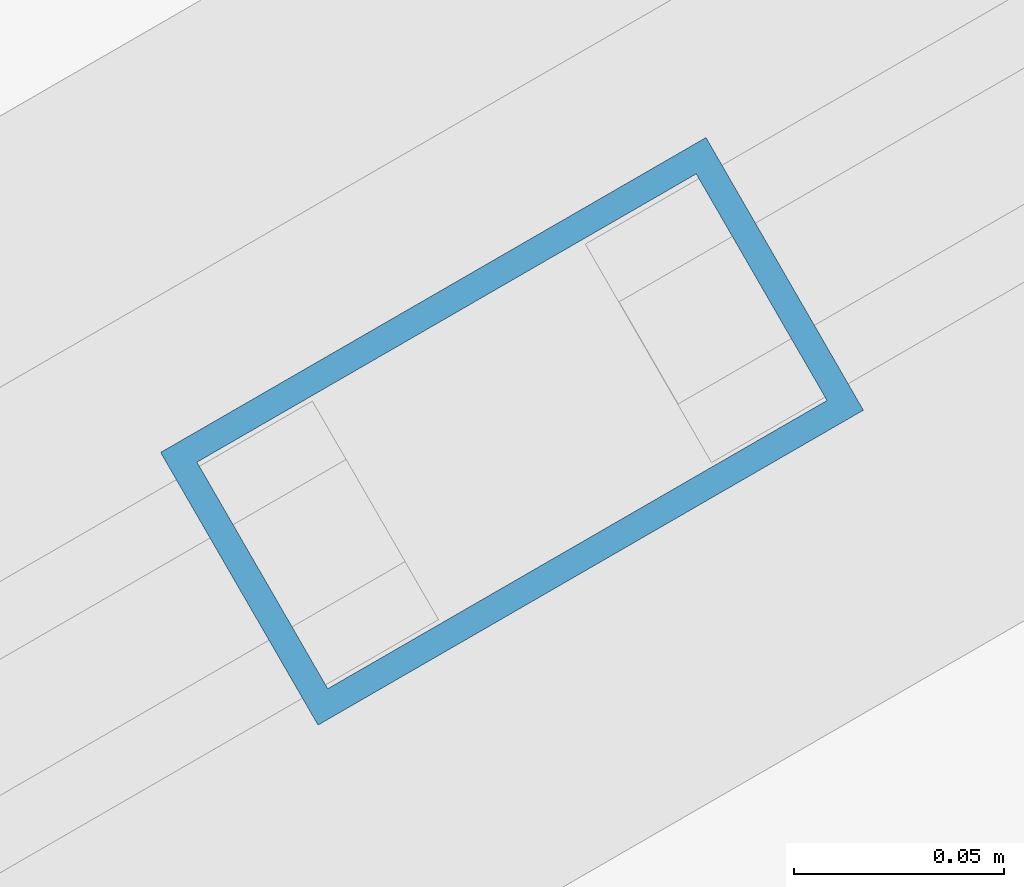
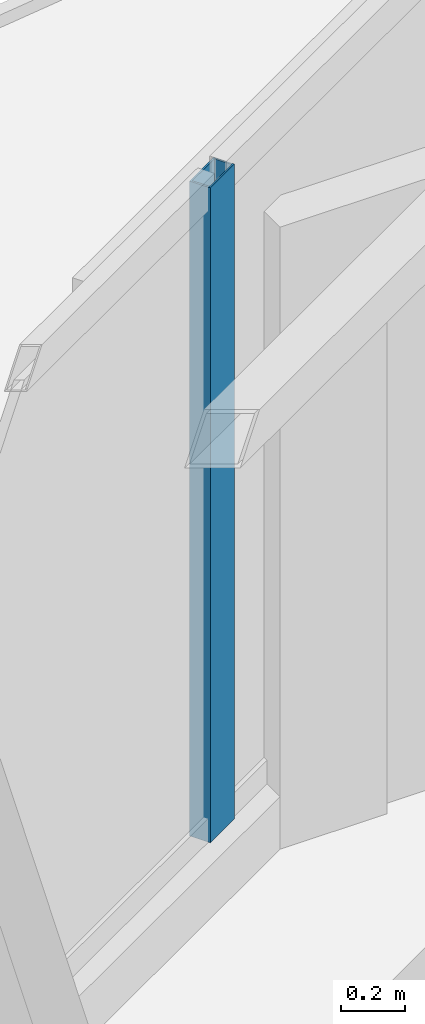
# One storey, part 10 of 21: 1 member, 1 element without a shape of its own.
"""IFC4 building model written with IfcOpenShell, lengths in metres."""

from ifc_helpers import new_model, si_unit, direction, frame, origin, origin_2d, place, context, subcontext, project, spatial, hollow_rectangle, extrude, material, layer, layer_set, material_profile, profile_set, type_object, element, aggregate, save


model = new_model("IFC4")

# Units and contexts
model_context = context("Model", 3, precision=1e-05, world=origin(), true_north=direction((0.0, 1.0)))
body_context = subcontext(model_context, "Body", "Model", "MODEL_VIEW")
ifc_project = project(units=[si_unit("LENGTHUNIT", "METRE"), si_unit("AREAUNIT", "SQUARE_METRE"), si_unit("VOLUMEUNIT", "CUBIC_METRE"), si_unit("PLANEANGLEUNIT", "RADIAN"), si_unit("MASSUNIT", "GRAM", prefix="KILO")], contexts=[model_context])

# Site, building, storey
site_placement = place(None, origin())
site = spatial("IfcSite", under=ifc_project, at=site_placement, CompositionType="ELEMENT")
building_placement = place(site_placement, origin())
building = spatial("IfcBuilding", under=site, at=building_placement, Name="Mersakhor Tower and Convention Hall", CompositionType="ELEMENT")
storey_placement = place(building_placement, frame((0.0, 0.0, 178.800048828125)))
storey = spatial("IfcBuildingStorey", under=building, at=storey_placement, Name="L49", CompositionType="ELEMENT", Elevation=178.800048828125)

# Curtain wall, member
ifc_material_1 = material(Name="Dark solar low-E aluminium curtain wall", Category="aluminium")
ifc_layer = layer(ifc_material_1, 0.169921875)
ifc_layer_set = layer_set([ifc_layer], Name="Dark solar low-E aluminium curtain wall")
curtain_wall_type = type_object("IfcCurtainWallType", Name="CW-SYS-02", PredefinedType="USERDEFINED", material=ifc_layer_set)
curtain_wall_placement = place(storey_placement, origin())
curtain_wall = element("IfcCurtainWall", 1, at=curtain_wall_placement, inside=storey, type_object=curtain_wall_type, Name="L49 Dark-Glass Curtain Wall F1-B2", ObjectType="CURTAIN WALL", PredefinedType="USERDEFINED")
ifc_material_2 = material(Name="Anodised aluminium EN AW-6063 T6", Category="aluminium")
ifc_material_profile = material_profile(ifc_material_2, hollow_rectangle(XDim=0.074951171875, YDim=0.14990234375, WallThickness=0.00634765625, at=origin_2d()), Name="RHS 150x75x6.3")
ifc_profile_set = profile_set([ifc_material_profile], Name="Anodised aluminium EN AW-6063 T6")
member_type = type_object("IfcMemberType", Name="CWM-150x75", PredefinedType="MULLION", material=ifc_profile_set)
member_placement = place(storey_placement, frame((24.504638671875, 37.535888671875, 0.199951171875), z_axis=(0.0, 0.0, 1.0), x_axis=(-0.500007824483, 0.86602088627, 0.0)))
member = element("IfcMember", 2, at=member_placement, type_object=member_type, Name="CW-02 mullion 3", PredefinedType="MULLION", context=body_context, shape_type="SweptSolid", body=[
    extrude(hollow_rectangle(XDim=0.074951171875, YDim=0.14990234375, WallThickness=0.00634765625, at=origin_2d()), origin(), (0.0, 0.0, 1.0), 2.489990234375),
])
aggregate(curtain_wall, [member])

save(model, "model.ifc")
